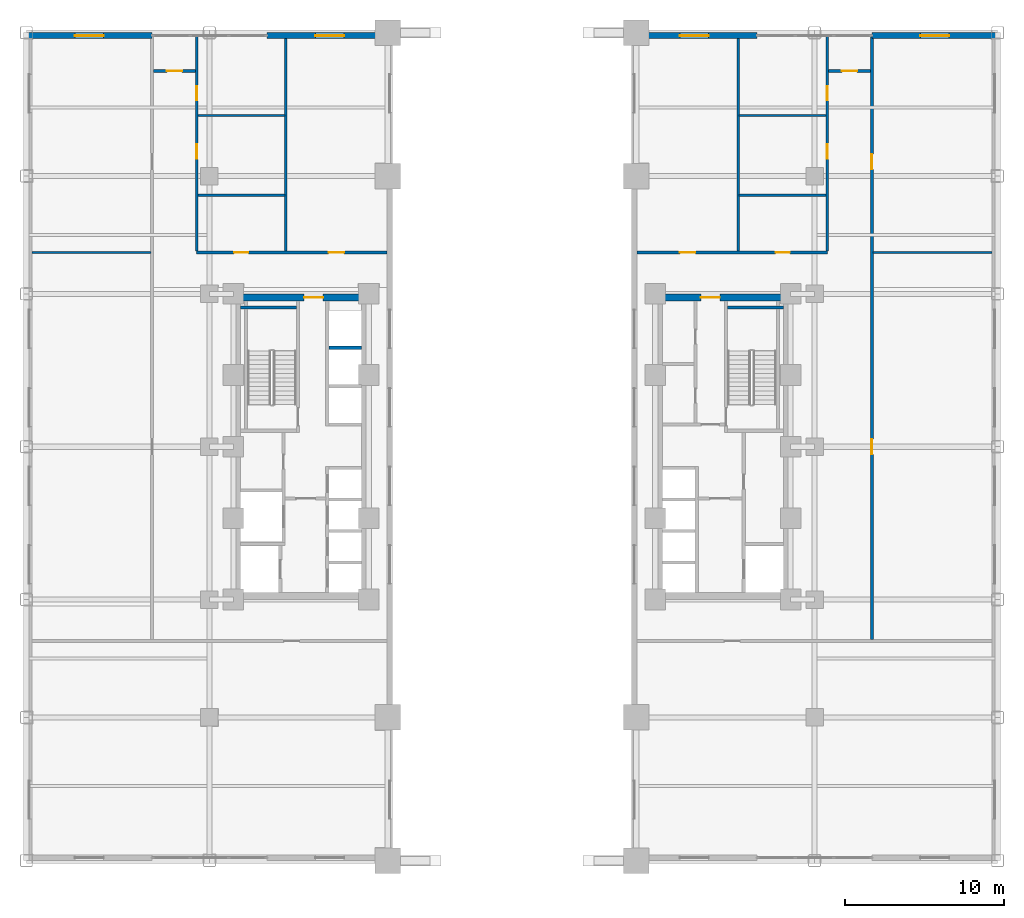
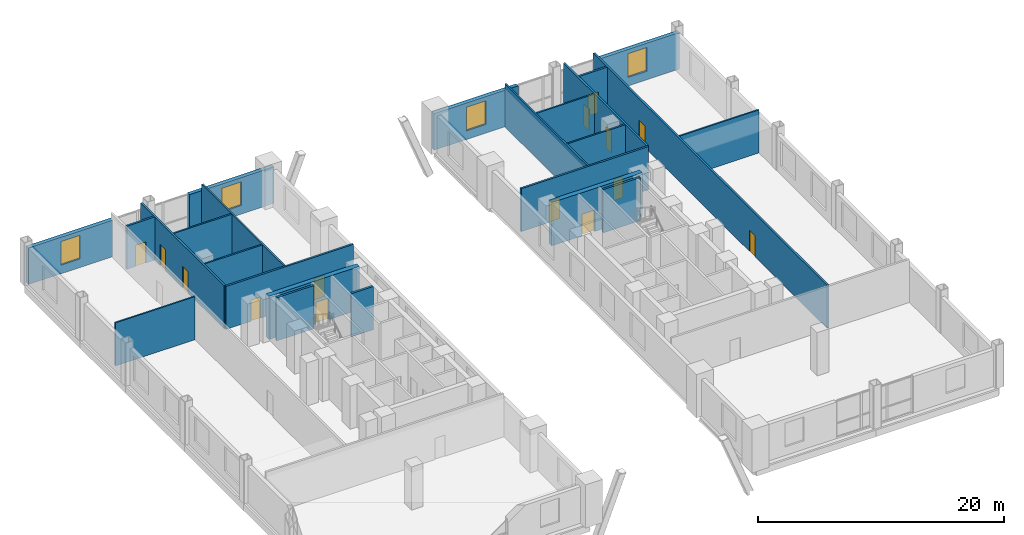
# One storey, part 6 of 15: 24 walls, 14 doors, 4 windows, 18 openings.
"""IFC4 building model written with IfcOpenShell, lengths in metres."""

import ifcopenshell
import ifcopenshell.guid

model = None  # the IFC model being written
_history = None  # IfcOwnerHistory: only IFC2X3 demands one
_inside = {}  # id of a spatial element -> (the spatial element, [elements in it])
_under = {}  # id of a project, library or spatial element -> (it, [spatial elements below it])
_declared = {}  # id of a project -> (the project, [libraries it declares])
_typed = {}  # id of a type object -> (the type object, [elements of that type])
_made_of = {}  # id of a material, layer set ... -> (it, [elements and type objects made of it])


def new_model(schema):
    """Start an empty IFC model of exactly this schema.

    Asked for "IFC4X3", IfcOpenShell would pick the latest addendum, in which some entities
    have other attributes; the version numbers below select the first issue.
    IFC2X3 requires an IfcOwnerHistory on every rooted entity: one is made here for all.
    """
    global model, _history
    if schema == "IFC4X3":
        model = ifcopenshell.file(schema_version=(4, 3, 0, 0))
    else:
        model = ifcopenshell.file(schema=schema)
    _inside.clear()
    _under.clear()
    _declared.clear()
    _typed.clear()
    _made_of.clear()
    _history = None
    if model.schema == "IFC2X3":
        org = make("IfcOrganization", Name="unknown")
        user = make(
            "IfcPersonAndOrganization",
            ThePerson=make("IfcPerson", FamilyName="unknown"),
            TheOrganization=org,
        )
        app = make(
            "IfcApplication",
            ApplicationDeveloper=org,
            Version="unknown",
            ApplicationFullName="unknown",
            ApplicationIdentifier="unknown",
        )
        _history = make(
            "IfcOwnerHistory",
            OwningUser=user,
            OwningApplication=app,
            ChangeAction="ADDED",
            CreationDate=0,
        )
    return model


def make(cls, **values):
    """One entity of the class cls with the attributes given. An attribute that is None is left unset."""
    return model.create_entity(
        cls, **{name: value for name, value in values.items() if value is not None}
    )


def rooted(cls, **values):
    """An entity with a GlobalId (a new one), such as an element, a storey or a relation."""
    return make(cls, GlobalId=ifcopenshell.guid.new(), OwnerHistory=_history, **values)


def si_unit(unit_type, name, prefix=None):
    """IfcSIUnit, for example si_unit("LENGTHUNIT", "METRE", prefix="MILLI")."""
    return make("IfcSIUnit", UnitType=unit_type, Prefix=prefix, Name=name)


def assignment(units):
    """IfcUnitAssignment: the units of a project."""
    return None if units is None else make("IfcUnitAssignment", Units=units)


def point(xyz):
    """IfcCartesianPoint."""
    return None if xyz is None else make("IfcCartesianPoint", Coordinates=xyz)


def direction(xyz):
    """IfcDirection."""
    return None if xyz is None else make("IfcDirection", DirectionRatios=xyz)


def frame(location, z_axis=None, x_axis=None):
    """IfcAxis2Placement3D, a coordinate frame: its origin and axes. An axis left out is left unset."""
    return make(
        "IfcAxis2Placement3D",
        Location=point(location),
        Axis=direction(z_axis),
        RefDirection=direction(x_axis),
    )


def frame_2d(location, x_axis=None):
    """IfcAxis2Placement2D, a coordinate frame in the plane: its origin and x axis."""
    return make(
        "IfcAxis2Placement2D", Location=point(location), RefDirection=direction(x_axis)
    )


def origin():
    """The frame at (0, 0, 0) with its axes left unset."""
    return frame((0.0, 0.0, 0.0))


def place(relative_to, where):
    """IfcLocalPlacement: puts the frame where relative to a parent placement (None: the world)."""
    return make(
        "IfcLocalPlacement", PlacementRelTo=relative_to, RelativePlacement=where
    )


def context(
    kind, dimensions, precision=None, world=None, true_north=None, identifier=None
):
    """IfcGeometricRepresentationContext, for example the 3D "Model" context."""
    return make(
        "IfcGeometricRepresentationContext",
        ContextIdentifier=identifier,
        ContextType=kind,
        CoordinateSpaceDimension=dimensions,
        Precision=precision,
        WorldCoordinateSystem=world,
        TrueNorth=true_north,
    )


def subcontext(parent, identifier, kind, view, scale=None):
    """IfcGeometricRepresentationSubContext, for example "Body" below "Model"."""
    return make(
        "IfcGeometricRepresentationSubContext",
        ContextIdentifier=identifier,
        ContextType=kind,
        ParentContext=parent,
        TargetScale=scale,
        TargetView=view,
    )


def project(units=None, contexts=None):
    """IfcProject with its units and contexts."""
    return rooted(
        "IfcProject",
        Name="project",
        RepresentationContexts=contexts,
        UnitsInContext=assignment(units),
    )


def spatial(cls, under=None, at=None, **own):
    """A site, building, storey or space (cls), placed at a placement, below another one or the project."""
    s = rooted(cls, ObjectPlacement=at, **own)
    if under is not None:
        _under.setdefault(under.id(), (under, []))[1].append(s)
    return s


def profile(cls, at=None, kind="AREA", **sizes):
    """A parametric profile (cls). Its sizes go by their IFC names, for example OverallWidth=200.0."""
    return make(cls, ProfileType=kind, Position=at, **sizes)


def rectangle(**sizes):
    """IfcRectangleProfileDef."""
    return profile("IfcRectangleProfileDef", **sizes)


def extrude(swept, where, along, depth):
    """IfcExtrudedAreaSolid: the profile swept, set in the frame where, extruded along a direction by depth."""
    return make(
        "IfcExtrudedAreaSolid",
        SweptArea=swept,
        Position=where,
        ExtrudedDirection=direction(along),
        Depth=depth,
    )


def shape(context_of_items, identifier, shape_type, items):
    """IfcShapeRepresentation: the items that make up one representation, for example the "Body"."""
    return make(
        "IfcShapeRepresentation",
        ContextOfItems=context_of_items,
        RepresentationIdentifier=identifier,
        RepresentationType=shape_type,
        Items=items,
    )


def source(mapping_origin, context_of_items, identifier, shape_type, items):
    """IfcRepresentationMap: a shape defined once, which mapped items show again and again."""
    return make(
        "IfcRepresentationMap",
        MappingOrigin=mapping_origin,
        MappedRepresentation=shape(context_of_items, identifier, shape_type, items),
    )


def transform(
    local_origin,
    x_axis=None,
    y_axis=None,
    z_axis=None,
    scale=None,
    scale2=None,
    scale3=None,
    uniform=True,
):
    """IfcCartesianTransformationOperator3D, or its non-uniform kind. x_axis, y_axis, z_axis: its Axis1, 2, 3."""
    if uniform:
        return make(
            "IfcCartesianTransformationOperator3D",
            Axis1=direction(x_axis),
            Axis2=direction(y_axis),
            LocalOrigin=point(local_origin),
            Scale=scale,
            Axis3=direction(z_axis),
        )
    return make(
        "IfcCartesianTransformationOperator3DnonUniform",
        Axis1=direction(x_axis),
        Axis2=direction(y_axis),
        LocalOrigin=point(local_origin),
        Scale=scale,
        Axis3=direction(z_axis),
        Scale2=scale2,
        Scale3=scale3,
    )


def mapped(mapping_source, mapping_target):
    """IfcMappedItem: shows the shape of a source again, moved by a transform."""
    return make(
        "IfcMappedItem", MappingSource=mapping_source, MappingTarget=mapping_target
    )


def material(Name=None, Category=None):
    """IfcMaterial."""
    return make("IfcMaterial", Name=Name, Category=Category)


def layer(
    of_material, thickness, ventilated=None, Name=None, Category=None, Priority=None
):
    """IfcMaterialLayer: one layer of a wall or slab, of a material (None: an air gap)."""
    return make(
        "IfcMaterialLayer",
        Material=of_material,
        LayerThickness=thickness,
        IsVentilated=ventilated,
        Name=Name,
        Category=Category,
        Priority=Priority,
    )


def layer_set(layers, Name=None):
    """IfcMaterialLayerSet."""
    return make("IfcMaterialLayerSet", MaterialLayers=layers, LayerSetName=Name)


def made_of(thing, what):
    """Note that an element or type object is made of a material, layer set ...; save() writes the relation."""
    if what is not None:
        _made_of.setdefault(what.id(), (what, []))[1].append(thing)
    return thing


def type_object(cls, material=None, **own):
    """A type object (cls), such as IfcWallType, which elements share."""
    return made_of(rooted(cls, **own), material)


def type_shapes(of_type, sources):
    """Give a type object the sources (RepresentationMaps) that its elements show as mapped items."""
    of_type.RepresentationMaps = sources


def element(
    cls,
    number,
    at=None,
    inside=None,
    cuts=None,
    type_object=None,
    material=None,
    context=None,
    identifier="Body",
    shape_type=None,
    held_by="IfcProductDefinitionShape",
    body=None,
    shapes=None,
    **own,
):
    """One element of the class cls, such as IfcWall. Its Tag is "e" and its number.

    at: its placement. inside: the storey or other place that contains it. cuts: it is an
    opening in that element (IfcRelVoidsElement). A single representation is given by context,
    identifier, shape_type and body (its items); several are given by shapes. held_by: the class
    of the entity that holds the representations. save() writes the other relations.
    """
    e = rooted(cls, Tag="e%d" % number, ObjectPlacement=at, **own)
    if body is not None:
        shapes = [shape(context, identifier, shape_type, body)]
    if shapes is not None:
        e.Representation = make(held_by, Representations=shapes)
    if inside is not None:
        _inside.setdefault(inside.id(), (inside, []))[1].append(e)
    if cuts is not None:
        rooted(
            "IfcRelVoidsElement", RelatingBuildingElement=cuts, RelatedOpeningElement=e
        )
    if type_object is not None:
        _typed.setdefault(type_object.id(), (type_object, []))[1].append(e)
    return made_of(e, material)


def fill(opening, filler):
    """IfcRelFillsElement: the door or window that sits in an opening."""
    return rooted(
        "IfcRelFillsElement",
        RelatingOpeningElement=opening,
        RelatedBuildingElement=filler,
    )


def aggregate(whole, parts):
    """IfcRelAggregates: a whole, such as a stair, and the parts it consists of."""
    return rooted("IfcRelAggregates", RelatingObject=whole, RelatedObjects=parts)


def save(model, path):
    """Write the relations noted so far, then the file.

    IfcRelAggregates (storeys below a building ...), IfcRelContainedInSpatialStructure (elements
    in a storey), IfcRelDefinesByType, IfcRelAssociatesMaterial and IfcRelDeclares: one each for
    every whole, place, type object, material and project.
    """
    for whole, parts in _under.values():
        aggregate(whole, parts)
    for where, things in _inside.values():
        rooted(
            "IfcRelContainedInSpatialStructure",
            RelatedElements=things,
            RelatingStructure=where,
        )
    for kind, things in _typed.values():
        rooted("IfcRelDefinesByType", RelatedObjects=things, RelatingType=kind)
    for what, things in _made_of.values():
        rooted("IfcRelAssociatesMaterial", RelatedObjects=things, RelatingMaterial=what)
    for by, libraries in _declared.values():
        rooted("IfcRelDeclares", RelatingContext=by, RelatedDefinitions=libraries)
    model.write(path)


model = new_model("IFC4")

# Units and contexts
model_context = context("Model", 3, precision=1e-05, world=origin(), true_north=direction((0.0, 1.0)))
body_context = subcontext(model_context, "Body", "Model", "MODEL_VIEW")
ifc_project = project(units=[si_unit("LENGTHUNIT", "METRE"), si_unit("AREAUNIT", "SQUARE_METRE"), si_unit("VOLUMEUNIT", "CUBIC_METRE"), si_unit("PLANEANGLEUNIT", "RADIAN"), si_unit("MASSUNIT", "GRAM", prefix="KILO")], contexts=[model_context])

# Site, building, storey
site_placement = place(None, origin())
site = spatial("IfcSite", under=ifc_project, at=site_placement, CompositionType="ELEMENT")
building_placement = place(site_placement, origin())
building = spatial("IfcBuilding", under=site, at=building_placement, Name="Nuvemarco Arch Tower", CompositionType="ELEMENT")
storey_placement = place(building_placement, frame((0.0, 0.0, 9.199951171875)))
storey = spatial("IfcBuildingStorey", under=building, at=storey_placement, Name="L02", CompositionType="ELEMENT", Elevation=9.199951171875)

# Wall, opening, window
ifc_material_1 = material(Name="Precast concrete C45/55", Category="concrete")
ifc_layer_1 = layer(ifc_material_1, 0.360107421875, Name="EW-POD-360")
ifc_layer_set_1 = layer_set([ifc_layer_1], Name="Precast concrete C45/55")
wall_type_1 = type_object("IfcWallType", Name="EW-POD-360", PredefinedType="STANDARD", material=ifc_layer_set_1)
wall_1_placement = place(storey_placement, frame((-30.5, 25.820068359375, 0.0), z_axis=(0.0, 0.0, 1.0), x_axis=(1.0, 0.0, 0.0)))
wall_1 = element("IfcWall", 1, at=wall_1_placement, inside=storey, type_object=wall_type_1, Name="L02 exterior precast pier wall north left", PredefinedType="STANDARD", context=body_context, shape_type="SweptSolid", body=[
    extrude(rectangle(XDim=7.89990234375, YDim=0.360107421875, at=frame_2d((3.949951171875, 0.0))), origin(), (0.0, 0.0, 1.0), 3.614990234375),
])
opening_1_placement = place(wall_1_placement, frame((3.050048828125, 0.0, 0.85009765625)))
opening_1 = element("IfcOpeningElement", 2, at=opening_1_placement, cuts=wall_1, Name="Opening WN-2", PredefinedType="OPENING", context=body_context, shape_type="SweptSolid", body=[
    extrude(rectangle(XDim=1.800048828125, YDim=2.35009765625, at=frame_2d((0.89990234375, 1.175048828125))), frame((0.0, 0.18994140625, 0.0), z_axis=(0.0, -1.0, 0.0), x_axis=(1.0, 0.0, 0.0)), (0.0, 0.0, 1.0), 0.380126953125),
])
ifc_material_2 = material(Name="Insulated solar-control glass", Category="glass")
window_type = type_object("IfcWindowType", Name="WN-POD-1800x2350", PartitioningType="DOUBLE_PANEL_VERTICAL", PredefinedType="WINDOW", material=ifc_material_2)
shared_shape_1 = source(origin(), body_context, "Body", "SweptSolid", [
    extrude(rectangle(XDim=1.800048828125, YDim=2.35009765625, at=frame_2d((0.89990234375, 1.175048828125))), frame((0.0, 0.030029296875, 0.0), z_axis=(0.0, -1.0, 0.0), x_axis=(1.0, 0.0, 0.0)), (0.0, 0.0, 1.0), 0.06005859375),
])
type_shapes(window_type, [shared_shape_1])
window_1_placement = place(opening_1_placement, origin())
window_1 = element("IfcWindow", 3, at=window_1_placement, inside=storey, type_object=window_type, Name="L02 punched facade window 1", OverallHeight=2.35009765625, OverallWidth=1.800048828125, PartitioningType="SINGLE_PANEL", PredefinedType="WINDOW", context=body_context, shape_type="MappedRepresentation", body=[
    mapped(shared_shape_1, transform((0.0, 0.0, 0.0), scale=1.0)),
])
fill(opening_1, window_1)

wall_2_placement = place(storey_placement, frame((-15.39990234375, 25.820068359375, 0.0), z_axis=(0.0, 0.0, 1.0), x_axis=(1.0, 0.0, 0.0)))
wall_2 = element("IfcWall", 4, at=wall_2_placement, inside=storey, type_object=wall_type_1, Name="L02 exterior precast pier wall north right", PredefinedType="STANDARD", context=body_context, shape_type="SweptSolid", body=[
    extrude(rectangle(XDim=7.89990234375, YDim=0.360107421875, at=frame_2d((3.949951171875, 0.0))), origin(), (0.0, 0.0, 1.0), 3.614990234375),
])
opening_2_placement = place(wall_2_placement, frame((3.050048828125, 0.0, 0.85009765625)))
opening_2 = element("IfcOpeningElement", 5, at=opening_2_placement, cuts=wall_2, Name="Opening WN-2", PredefinedType="OPENING", context=body_context, shape_type="SweptSolid", body=[
    extrude(rectangle(XDim=1.800048828125, YDim=2.35009765625, at=frame_2d((0.89990234375, 1.175048828125))), frame((0.0, 0.18994140625, 0.0), z_axis=(0.0, -1.0, 0.0), x_axis=(1.0, 0.0, 0.0)), (0.0, 0.0, 1.0), 0.380126953125),
])
window_2_placement = place(opening_2_placement, origin())
window_2 = element("IfcWindow", 6, at=window_2_placement, inside=storey, type_object=window_type, Name="L02 punched facade window 1", OverallHeight=2.35009765625, OverallWidth=1.800048828125, PartitioningType="SINGLE_PANEL", PredefinedType="WINDOW", context=body_context, shape_type="MappedRepresentation", body=[
    mapped(shared_shape_1, transform((0.0, 0.0, 0.0), scale=1.0)),
])
fill(opening_2, window_2)

wall_3_placement = place(storey_placement, frame((7.5, 25.820068359375, 0.0), z_axis=(0.0, 0.0, 1.0), x_axis=(1.0, 0.0, 0.0)))
wall_3 = element("IfcWall", 7, at=wall_3_placement, inside=storey, type_object=wall_type_1, Name="L02 exterior precast pier wall north left", PredefinedType="STANDARD", context=body_context, shape_type="SweptSolid", body=[
    extrude(rectangle(XDim=7.89990234375, YDim=0.360107421875, at=frame_2d((3.949951171875, 0.0))), origin(), (0.0, 0.0, 1.0), 3.614990234375),
])
opening_3_placement = place(wall_3_placement, frame((3.050048828125, 0.0, 0.85009765625)))
opening_3 = element("IfcOpeningElement", 8, at=opening_3_placement, cuts=wall_3, Name="Opening WN-2", PredefinedType="OPENING", context=body_context, shape_type="SweptSolid", body=[
    extrude(rectangle(XDim=1.800048828125, YDim=2.35009765625, at=frame_2d((0.89990234375, 1.175048828125))), frame((0.0, 0.18994140625, 0.0), z_axis=(0.0, -1.0, 0.0), x_axis=(1.0, 0.0, 0.0)), (0.0, 0.0, 1.0), 0.380126953125),
])
window_3_placement = place(opening_3_placement, origin())
window_3 = element("IfcWindow", 9, at=window_3_placement, inside=storey, type_object=window_type, Name="L02 punched facade window 1", OverallHeight=2.35009765625, OverallWidth=1.800048828125, PartitioningType="SINGLE_PANEL", PredefinedType="WINDOW", context=body_context, shape_type="MappedRepresentation", body=[
    mapped(shared_shape_1, transform((0.0, 0.0, 0.0), scale=1.0)),
])
fill(opening_3, window_3)

wall_4_placement = place(storey_placement, frame((22.60009765625, 25.820068359375, 0.0), z_axis=(0.0, 0.0, 1.0), x_axis=(1.0, 0.0, 0.0)))
wall_4 = element("IfcWall", 10, at=wall_4_placement, inside=storey, type_object=wall_type_1, Name="L02 exterior precast pier wall north right", PredefinedType="STANDARD", context=body_context, shape_type="SweptSolid", body=[
    extrude(rectangle(XDim=7.89990234375, YDim=0.360107421875, at=frame_2d((3.949951171875, 0.0))), origin(), (0.0, 0.0, 1.0), 3.614990234375),
])
opening_4_placement = place(wall_4_placement, frame((3.050048828125, 0.0, 0.85009765625)))
opening_4 = element("IfcOpeningElement", 11, at=opening_4_placement, cuts=wall_4, Name="Opening WN-2", PredefinedType="OPENING", context=body_context, shape_type="SweptSolid", body=[
    extrude(rectangle(XDim=1.800048828125, YDim=2.35009765625, at=frame_2d((0.89990234375, 1.175048828125))), frame((0.0, 0.18994140625, 0.0), z_axis=(0.0, -1.0, 0.0), x_axis=(1.0, 0.0, 0.0)), (0.0, 0.0, 1.0), 0.380126953125),
])
window_4_placement = place(opening_4_placement, origin())
window_4 = element("IfcWindow", 12, at=window_4_placement, inside=storey, type_object=window_type, Name="L02 punched facade window 1", OverallHeight=2.35009765625, OverallWidth=1.800048828125, PartitioningType="SINGLE_PANEL", PredefinedType="WINDOW", context=body_context, shape_type="MappedRepresentation", body=[
    mapped(shared_shape_1, transform((0.0, 0.0, 0.0), scale=1.0)),
])
fill(opening_4, window_4)

# Wall, opening, door
ifc_material_3 = material(Name="Concrete C60/75", Category="concrete")
ifc_layer_2 = layer(ifc_material_3, 0.449951171875, Name="WL-CORE-450")
ifc_layer_set_2 = layer_set([ifc_layer_2], Name="Concrete C60/75")
wall_type_2 = type_object("IfcWallType", Name="WL-CORE-450", PredefinedType="SHEAR", material=ifc_layer_set_2)
wall_5_placement = place(storey_placement, frame((-17.5, 9.375, 0.0), z_axis=(0.0, 0.0, 1.0), x_axis=(1.0, 0.0, 0.0)))
wall_5 = element("IfcWall", 13, at=wall_5_placement, inside=storey, type_object=wall_type_2, Name="L02 W-core shear wall N", PredefinedType="SHEAR", context=body_context, shape_type="SweptSolid", body=[
    extrude(rectangle(XDim=8.5, YDim=0.449951171875, at=frame_2d((4.25, 0.0))), origin(), (0.0, 0.0, 1.0), 4.280029296875),
])
opening_5_placement = place(wall_5_placement, frame((4.43994140625, 0.0, 0.0)))
opening_5 = element("IfcOpeningElement", 14, at=opening_5_placement, cuts=wall_5, Name="Opening FD-2", PredefinedType="OPENING", context=body_context, shape_type="SweptSolid", body=[
    extrude(rectangle(XDim=1.199951171875, YDim=2.14990234375, at=frame_2d((0.60009765625, 1.074951171875))), frame((0.0, 0.23486328125, 0.0), z_axis=(0.0, -1.0, 0.0), x_axis=(1.0, 0.0, 0.0)), (0.0, 0.0, 1.0), 0.469970703125),
])
ifc_material_4 = material(Name="Anodised steel fire door", Category="steel")
door_type_1 = type_object("IfcDoorType", Name="DR-FFLOB-FD", OperationType="NOTDEFINED", PredefinedType="DOOR", material=ifc_material_4)
shared_shape_2 = source(origin(), body_context, "Body", "SweptSolid", [
    extrude(rectangle(XDim=1.199951171875, YDim=2.14990234375, at=frame_2d((0.60009765625, 1.074951171875))), frame((0.0, 0.02490234375, 0.0), z_axis=(0.0, -1.0, 0.0), x_axis=(1.0, 0.0, 0.0)), (0.0, 0.0, 1.0), 0.050048828125),
])
type_shapes(door_type_1, [shared_shape_2])
door_1_placement = place(opening_5_placement, origin())
door_1 = element("IfcDoor", 15, at=door_1_placement, inside=storey, type_object=door_type_1, Name="L02 door FD-L02-WCORE-N", OperationType="SINGLE_SWING_LEFT", OverallHeight=2.14990234375, OverallWidth=1.199951171875, PredefinedType="DOOR", context=body_context, shape_type="MappedRepresentation", body=[
    mapped(shared_shape_2, transform((0.0, 0.0, 0.0), scale=1.0)),
])
fill(opening_5, door_1)

wall_6_placement = place(storey_placement, frame((9.0, 9.375, 0.0), z_axis=(0.0, 0.0, 1.0), x_axis=(1.0, 0.0, 0.0)))
wall_6 = element("IfcWall", 16, at=wall_6_placement, inside=storey, type_object=wall_type_2, Name="L02 E-core shear wall N", PredefinedType="SHEAR", context=body_context, shape_type="SweptSolid", body=[
    extrude(rectangle(XDim=8.5, YDim=0.449951171875, at=frame_2d((4.25, 0.0))), origin(), (0.0, 0.0, 1.0), 4.280029296875),
])
opening_6_placement = place(wall_6_placement, frame((2.860107421875, 0.0, 0.0)))
opening_6 = element("IfcOpeningElement", 17, at=opening_6_placement, cuts=wall_6, Name="Opening FD-2", PredefinedType="OPENING", context=body_context, shape_type="SweptSolid", body=[
    extrude(rectangle(XDim=1.199951171875, YDim=2.14990234375, at=frame_2d((0.60009765625, 1.074951171875))), frame((0.0, 0.23486328125, 0.0), z_axis=(0.0, -1.0, 0.0), x_axis=(1.0, 0.0, 0.0)), (0.0, 0.0, 1.0), 0.469970703125),
])
door_2_placement = place(opening_6_placement, origin())
door_2 = element("IfcDoor", 18, at=door_2_placement, inside=storey, type_object=door_type_1, Name="L02 door FD-L02-ECORE-N", OperationType="SINGLE_SWING_RIGHT", OverallHeight=2.14990234375, OverallWidth=1.199951171875, PredefinedType="DOOR", context=body_context, shape_type="MappedRepresentation", body=[
    mapped(shared_shape_2, transform((0.0, 0.0, 0.0), scale=1.0)),
])
fill(opening_6, door_2)

# Wall, openings, doors
ifc_material_5 = material(Name="Fire-rated gypsum drywall partition")
ifc_layer_3 = layer(ifc_material_5, 0.179931640625, Name="WL-CORR-180")
ifc_layer_set_3 = layer_set([ifc_layer_3], Name="Fire-rated gypsum drywall partition")
wall_type_3 = type_object("IfcWallType", Name="WL-CORR-180", PredefinedType="PARTITIONING", material=ifc_layer_set_3)
wall_7_placement = place(storey_placement, frame((-19.800048828125, 12.199951171875, 0.0), z_axis=(0.0, 0.0, 1.0), x_axis=(1.0, 0.0, 0.0)))
wall_7 = element("IfcWall", 19, at=wall_7_placement, inside=storey, type_object=wall_type_3, Name="L02 interior wall IW-L02-004", PredefinedType="PARTITIONING", context=body_context, shape_type="SweptSolid", body=[
    extrude(rectangle(XDim=11.93994140625, YDim=0.179931640625, at=frame_2d((5.969970703125, 0.0))), origin(), (0.0, 0.0, 1.0), 4.27001953125),
])
opening_7_placement = place(wall_7_placement, frame((8.2900390625, 0.0, 0.0)))
opening_7 = element("IfcOpeningElement", 20, at=opening_7_placement, cuts=wall_7, Name="Opening FD-5", PredefinedType="OPENING", context=body_context, shape_type="SweptSolid", body=[
    extrude(rectangle(XDim=0.9599609375, YDim=2.10009765625, at=frame_2d((0.47998046875, 1.050048828125))), frame((0.0, 0.099853515625, 0.0), z_axis=(0.0, -1.0, 0.0), x_axis=(1.0, 0.0, 0.0)), (0.0, 0.0, 1.0), 0.199951171875),
])
opening_8_placement = place(wall_7_placement, frame((2.35009765625, 0.0, 0.0)))
opening_8 = element("IfcOpeningElement", 21, at=opening_8_placement, cuts=wall_7, Name="Opening ID-3", PredefinedType="OPENING", context=body_context, shape_type="SweptSolid", body=[
    extrude(rectangle(XDim=0.89990234375, YDim=2.10009765625, at=frame_2d((0.449951171875, 1.050048828125))), frame((0.0, 0.099853515625, 0.0), z_axis=(0.0, -1.0, 0.0), x_axis=(1.0, 0.0, 0.0)), (0.0, 0.0, 1.0), 0.199951171875),
])
ifc_material_6 = material(Name="Timber fire door", Category="wood")
door_type_2 = type_object("IfcDoorType", Name="DR-CORR-FD", OperationType="NOTDEFINED", PredefinedType="DOOR", material=ifc_material_6)
shared_shape_3 = source(origin(), body_context, "Body", "SweptSolid", [
    extrude(rectangle(XDim=0.9599609375, YDim=2.10009765625, at=frame_2d((0.47998046875, 1.050048828125))), frame((0.0, 0.02490234375, 0.0), z_axis=(0.0, -1.0, 0.0), x_axis=(1.0, 0.0, 0.0)), (0.0, 0.0, 1.0), 0.050048828125),
])
type_shapes(door_type_2, [shared_shape_3])
door_3_placement = place(opening_7_placement, origin())
door_3 = element("IfcDoor", 22, at=door_3_placement, inside=storey, type_object=door_type_2, Name="L02 door DR-L02-POD_WBRD", OperationType="SINGLE_SWING_LEFT", OverallHeight=2.10009765625, OverallWidth=0.9599609375, PredefinedType="DOOR", context=body_context, shape_type="MappedRepresentation", body=[
    mapped(shared_shape_3, transform((0.0, 0.0, 0.0), scale=1.0)),
])
fill(opening_7, door_3)
ifc_material_7 = material(Name="Veneered oak timber fire door", Category="wood")
door_type_3 = type_object("IfcDoorType", Name="DR-WC-ACC", OperationType="NOTDEFINED", PredefinedType="DOOR", material=ifc_material_7)
shared_shape_4 = source(origin(), body_context, "Body", "SweptSolid", [
    extrude(rectangle(XDim=0.89990234375, YDim=2.10009765625, at=frame_2d((0.449951171875, 1.050048828125))), frame((0.0, 0.02490234375, 0.0), z_axis=(0.0, -1.0, 0.0), x_axis=(1.0, 0.0, 0.0)), (0.0, 0.0, 1.0), 0.050048828125),
])
type_shapes(door_type_3, [shared_shape_4])
door_4_placement = place(opening_8_placement, origin())
door_4 = element("IfcDoor", 23, at=door_4_placement, inside=storey, type_object=door_type_3, Name="L02 door DR-L02-POD_WWC_ACC", OperationType="SINGLE_SWING_RIGHT", OverallHeight=2.10009765625, OverallWidth=0.89990234375, PredefinedType="DOOR", context=body_context, shape_type="MappedRepresentation", body=[
    mapped(shared_shape_4, transform((0.0, 0.0, 0.0), scale=1.0)),
])
fill(opening_8, door_4)

wall_8_placement = place(storey_placement, frame((7.860107421875, 12.199951171875, 0.0), z_axis=(0.0, 0.0, 1.0), x_axis=(1.0, 0.0, 0.0)))
wall_8 = element("IfcWall", 24, at=wall_8_placement, inside=storey, type_object=wall_type_3, Name="L02 interior wall IW-L02-005", PredefinedType="PARTITIONING", context=body_context, shape_type="SweptSolid", body=[
    extrude(rectangle(XDim=11.93994140625, YDim=0.179931640625, at=frame_2d((5.969970703125, 0.0))), origin(), (0.0, 0.0, 1.0), 4.27001953125),
])
opening_9_placement = place(wall_8_placement, frame((2.68994140625, 0.0, 0.0)))
opening_9 = element("IfcOpeningElement", 25, at=opening_9_placement, cuts=wall_8, Name="Opening FD-5", PredefinedType="OPENING", context=body_context, shape_type="SweptSolid", body=[
    extrude(rectangle(XDim=0.9599609375, YDim=2.10009765625, at=frame_2d((0.47998046875, 1.050048828125))), frame((0.0, 0.099853515625, 0.0), z_axis=(0.0, -1.0, 0.0), x_axis=(1.0, 0.0, 0.0)), (0.0, 0.0, 1.0), 0.199951171875),
])
opening_10_placement = place(wall_8_placement, frame((8.68994140625, 0.0, 0.0)))
opening_10 = element("IfcOpeningElement", 26, at=opening_10_placement, cuts=wall_8, Name="Opening ID-3", PredefinedType="OPENING", context=body_context, shape_type="SweptSolid", body=[
    extrude(rectangle(XDim=0.89990234375, YDim=2.10009765625, at=frame_2d((0.449951171875, 1.050048828125))), frame((0.0, 0.099853515625, 0.0), z_axis=(0.0, -1.0, 0.0), x_axis=(1.0, 0.0, 0.0)), (0.0, 0.0, 1.0), 0.199951171875),
])
door_5_placement = place(opening_9_placement, origin())
door_5 = element("IfcDoor", 27, at=door_5_placement, inside=storey, type_object=door_type_2, Name="L02 door DR-L02-POD_EMTG", OperationType="SINGLE_SWING_LEFT", OverallHeight=2.10009765625, OverallWidth=0.9599609375, PredefinedType="DOOR", context=body_context, shape_type="MappedRepresentation", body=[
    mapped(shared_shape_3, transform((0.0, 0.0, 0.0), scale=1.0)),
])
fill(opening_9, door_5)
door_6_placement = place(opening_10_placement, origin())
door_6 = element("IfcDoor", 28, at=door_6_placement, inside=storey, type_object=door_type_3, Name="L02 door DR-L02-POD_EWC_ACC", OperationType="SINGLE_SWING_RIGHT", OverallHeight=2.10009765625, OverallWidth=0.89990234375, PredefinedType="DOOR", context=body_context, shape_type="MappedRepresentation", body=[
    mapped(shared_shape_4, transform((0.0, 0.0, 0.0), scale=1.0)),
])
fill(opening_10, door_6)

# Wall, opening, door
wall_9_placement = place(storey_placement, frame((-22.513916015625, 23.60009765625, 0.0), z_axis=(0.0, 0.0, 1.0), x_axis=(1.0, 0.0, 0.0)))
wall_9 = element("IfcWall", 29, at=wall_9_placement, inside=storey, type_object=wall_type_3, Name="L02 interior wall IW-L02-011", PredefinedType="PARTITIONING", context=body_context, shape_type="SweptSolid", body=[
    extrude(rectangle(XDim=2.6279296875, YDim=0.179931640625, at=frame_2d((1.31396484375, 0.0))), origin(), (0.0, 0.0, 1.0), 4.27001953125),
])
opening_11_placement = place(wall_9_placement, frame((0.833984375, 0.0, 0.0)))
opening_11 = element("IfcOpeningElement", 30, at=opening_11_placement, cuts=wall_9, Name="Opening FD-5", PredefinedType="OPENING", context=body_context, shape_type="SweptSolid", body=[
    extrude(rectangle(XDim=0.9599609375, YDim=2.10009765625, at=frame_2d((0.47998046875, 1.050048828125))), frame((0.0, 0.099853515625, 0.0), z_axis=(0.0, -1.0, 0.0), x_axis=(1.0, 0.0, 0.0)), (0.0, 0.0, 1.0), 0.199951171875),
])
door_7_placement = place(opening_11_placement, origin())
door_7 = element("IfcDoor", 31, at=door_7_placement, inside=storey, type_object=door_type_2, Name="L02 door DR-L02-POD_WSTORE", OperationType="SINGLE_SWING_LEFT", OverallHeight=2.10009765625, OverallWidth=0.9599609375, PredefinedType="DOOR", context=body_context, shape_type="MappedRepresentation", body=[
    mapped(shared_shape_3, transform((0.0, 0.0, 0.0), scale=1.0)),
])
fill(opening_11, door_7)

wall_10_placement = place(storey_placement, frame((19.885986328125, 23.60009765625, 0.0), z_axis=(0.0, 0.0, 1.0), x_axis=(1.0, 0.0, 0.0)))
wall_10 = element("IfcWall", 32, at=wall_10_placement, inside=storey, type_object=wall_type_3, Name="L02 interior wall IW-L02-012", PredefinedType="PARTITIONING", context=body_context, shape_type="SweptSolid", body=[
    extrude(rectangle(XDim=2.6279296875, YDim=0.179931640625, at=frame_2d((1.31396484375, 0.0))), origin(), (0.0, 0.0, 1.0), 4.27001953125),
])
opening_12_placement = place(wall_10_placement, frame((0.833984375, 0.0, 0.0)))
opening_12 = element("IfcOpeningElement", 33, at=opening_12_placement, cuts=wall_10, Name="Opening FD-5", PredefinedType="OPENING", context=body_context, shape_type="SweptSolid", body=[
    extrude(rectangle(XDim=0.9599609375, YDim=2.10009765625, at=frame_2d((0.47998046875, 1.050048828125))), frame((0.0, 0.099853515625, 0.0), z_axis=(0.0, -1.0, 0.0), x_axis=(1.0, 0.0, 0.0)), (0.0, 0.0, 1.0), 0.199951171875),
])
door_8_placement = place(opening_12_placement, origin())
door_8 = element("IfcDoor", 34, at=door_8_placement, inside=storey, type_object=door_type_2, Name="L02 door DR-L02-POD_ESTORE", OperationType="SINGLE_SWING_LEFT", OverallHeight=2.10009765625, OverallWidth=0.9599609375, PredefinedType="DOOR", context=body_context, shape_type="MappedRepresentation", body=[
    mapped(shared_shape_3, transform((0.0, 0.0, 0.0), scale=1.0)),
])
fill(opening_12, door_8)

# Wall, openings, doors
wall_11_placement = place(storey_placement, frame((-19.800048828125, 12.285888671875, 0.0), z_axis=(0.0, 0.0, 1.0), x_axis=(0.0, 1.0, 0.0)))
wall_11 = element("IfcWall", 35, at=wall_11_placement, inside=storey, type_object=wall_type_3, Name="L02 interior wall IW-L02-014", PredefinedType="PARTITIONING", context=body_context, shape_type="SweptSolid", body=[
    extrude(rectangle(XDim=13.51904296875, YDim=0.179931640625, at=frame_2d((6.759521484375, 0.0))), origin(), (0.0, 0.0, 1.0), 4.27001953125),
])
opening_13_placement = place(wall_11_placement, frame((5.81396484375, 0.0, 0.0)))
opening_13 = element("IfcOpeningElement", 36, at=opening_13_placement, cuts=wall_11, Name="Opening ID-3", PredefinedType="OPENING", context=body_context, shape_type="SweptSolid", body=[
    extrude(rectangle(XDim=0.89990234375, YDim=2.10009765625, at=frame_2d((0.449951171875, 1.050048828125))), frame((0.0, 0.099853515625, 0.0), z_axis=(0.0, -1.0, 0.0), x_axis=(1.0, 0.0, 0.0)), (0.0, 0.0, 1.0), 0.199951171875),
])
opening_14_placement = place(wall_11_placement, frame((9.464111328125, 0.0, 0.0)))
opening_14 = element("IfcOpeningElement", 37, at=opening_14_placement, cuts=wall_11, Name="Opening ID-3", PredefinedType="OPENING", context=body_context, shape_type="SweptSolid", body=[
    extrude(rectangle(XDim=0.89990234375, YDim=2.10009765625, at=frame_2d((0.449951171875, 1.050048828125))), frame((0.0, 0.099853515625, 0.0), z_axis=(0.0, -1.0, 0.0), x_axis=(1.0, 0.0, 0.0)), (0.0, 0.0, 1.0), 0.199951171875),
])
door_9_placement = place(opening_13_placement, origin())
door_9 = element("IfcDoor", 38, at=door_9_placement, inside=storey, type_object=door_type_3, Name="L02 door DR-L02-POD_WWC_M", OperationType="SINGLE_SWING_LEFT", OverallHeight=2.10009765625, OverallWidth=0.89990234375, PredefinedType="DOOR", context=body_context, shape_type="MappedRepresentation", body=[
    mapped(shared_shape_4, transform((0.0, 0.0, 0.0), scale=1.0)),
])
fill(opening_13, door_9)
door_10_placement = place(opening_14_placement, origin())
door_10 = element("IfcDoor", 39, at=door_10_placement, inside=storey, type_object=door_type_3, Name="L02 door DR-L02-POD_WWC_F", OperationType="SINGLE_SWING_RIGHT", OverallHeight=2.10009765625, OverallWidth=0.89990234375, PredefinedType="DOOR", context=body_context, shape_type="MappedRepresentation", body=[
    mapped(shared_shape_4, transform((0.0, 0.0, 0.0), scale=1.0)),
])
fill(opening_14, door_10)

wall_12_placement = place(storey_placement, frame((19.800048828125, 12.285888671875, 0.0), z_axis=(0.0, 0.0, 1.0), x_axis=(0.0, 1.0, 0.0)))
wall_12 = element("IfcWall", 40, at=wall_12_placement, inside=storey, type_object=wall_type_3, Name="L02 interior wall IW-L02-017", PredefinedType="PARTITIONING", context=body_context, shape_type="SweptSolid", body=[
    extrude(rectangle(XDim=13.51904296875, YDim=0.179931640625, at=frame_2d((6.759521484375, 0.0))), origin(), (0.0, 0.0, 1.0), 4.27001953125),
])
opening_15_placement = place(wall_12_placement, frame((5.81396484375, 0.0, 0.0)))
opening_15 = element("IfcOpeningElement", 41, at=opening_15_placement, cuts=wall_12, Name="Opening ID-3", PredefinedType="OPENING", context=body_context, shape_type="SweptSolid", body=[
    extrude(rectangle(XDim=0.89990234375, YDim=2.10009765625, at=frame_2d((0.449951171875, 1.050048828125))), frame((0.0, 0.099853515625, 0.0), z_axis=(0.0, -1.0, 0.0), x_axis=(1.0, 0.0, 0.0)), (0.0, 0.0, 1.0), 0.199951171875),
])
opening_16_placement = place(wall_12_placement, frame((9.464111328125, 0.0, 0.0)))
opening_16 = element("IfcOpeningElement", 42, at=opening_16_placement, cuts=wall_12, Name="Opening ID-3", PredefinedType="OPENING", context=body_context, shape_type="SweptSolid", body=[
    extrude(rectangle(XDim=0.89990234375, YDim=2.10009765625, at=frame_2d((0.449951171875, 1.050048828125))), frame((0.0, 0.099853515625, 0.0), z_axis=(0.0, -1.0, 0.0), x_axis=(1.0, 0.0, 0.0)), (0.0, 0.0, 1.0), 0.199951171875),
])
door_11_placement = place(opening_15_placement, origin())
door_11 = element("IfcDoor", 43, at=door_11_placement, inside=storey, type_object=door_type_3, Name="L02 door DR-L02-POD_EWC_M", OperationType="SINGLE_SWING_LEFT", OverallHeight=2.10009765625, OverallWidth=0.89990234375, PredefinedType="DOOR", context=body_context, shape_type="MappedRepresentation", body=[
    mapped(shared_shape_4, transform((0.0, 0.0, 0.0), scale=1.0)),
])
fill(opening_15, door_11)
door_12_placement = place(opening_16_placement, origin())
door_12 = element("IfcDoor", 44, at=door_12_placement, inside=storey, type_object=door_type_3, Name="L02 door DR-L02-POD_EWC_F", OperationType="SINGLE_SWING_RIGHT", OverallHeight=2.10009765625, OverallWidth=0.89990234375, PredefinedType="DOOR", context=body_context, shape_type="MappedRepresentation", body=[
    mapped(shared_shape_4, transform((0.0, 0.0, 0.0), scale=1.0)),
])
fill(opening_16, door_12)

wall_13_placement = place(storey_placement, frame((22.60009765625, -12.114013671875, 0.0), z_axis=(0.0, 0.0, 1.0), x_axis=(0.0, 1.0, 0.0)))
wall_13 = element("IfcWall", 45, at=wall_13_placement, inside=storey, type_object=wall_type_3, Name="L02 interior wall IW-L02-018", PredefinedType="PARTITIONING", context=body_context, shape_type="SweptSolid", body=[
    extrude(rectangle(XDim=37.9189453125, YDim=0.179931640625, at=frame_2d((18.95947265625, 0.0))), origin(), (0.0, 0.0, 1.0), 4.27001953125),
])
opening_17_placement = place(wall_13_placement, frame((11.634033203125, 0.0, 0.0)))
opening_17 = element("IfcOpeningElement", 46, at=opening_17_placement, cuts=wall_13, Name="Opening FD-5", PredefinedType="OPENING", context=body_context, shape_type="SweptSolid", body=[
    extrude(rectangle(XDim=0.9599609375, YDim=2.10009765625, at=frame_2d((0.47998046875, 1.050048828125))), frame((0.0, 0.099853515625, 0.0), z_axis=(0.0, -1.0, 0.0), x_axis=(1.0, 0.0, 0.0)), (0.0, 0.0, 1.0), 0.199951171875),
])
opening_18_placement = place(wall_13_placement, frame((29.533935546875, 0.0, 0.0)))
opening_18 = element("IfcOpeningElement", 47, at=opening_18_placement, cuts=wall_13, Name="Opening FD-5", PredefinedType="OPENING", context=body_context, shape_type="SweptSolid", body=[
    extrude(rectangle(XDim=0.9599609375, YDim=2.10009765625, at=frame_2d((0.47998046875, 1.050048828125))), frame((0.0, 0.099853515625, 0.0), z_axis=(0.0, -1.0, 0.0), x_axis=(1.0, 0.0, 0.0)), (0.0, 0.0, 1.0), 0.199951171875),
])
door_13_placement = place(opening_17_placement, origin())
door_13 = element("IfcDoor", 48, at=door_13_placement, inside=storey, type_object=door_type_2, Name="L02 door DR-L02-POD_EOFF", OperationType="SINGLE_SWING_RIGHT", OverallHeight=2.10009765625, OverallWidth=0.9599609375, PredefinedType="DOOR", context=body_context, shape_type="MappedRepresentation", body=[
    mapped(shared_shape_3, transform((0.0, 0.0, 0.0), scale=1.0)),
])
fill(opening_17, door_13)
door_14_placement = place(opening_18_placement, origin())
door_14 = element("IfcDoor", 49, at=door_14_placement, inside=storey, type_object=door_type_2, Name="L02 door DR-L02-POD_EBRD", OperationType="SINGLE_SWING_RIGHT", OverallHeight=2.10009765625, OverallWidth=0.9599609375, PredefinedType="DOOR", context=body_context, shape_type="MappedRepresentation", body=[
    mapped(shared_shape_3, transform((0.0, 0.0, 0.0), scale=1.0)),
])
fill(opening_18, door_14)

# Walls
ifc_material_8 = material(Name="Gypsum plasterboard partition")
ifc_layer_4 = layer(ifc_material_8, 0.139892578125, Name="WL-ROOM-140")
ifc_layer_set_4 = layer_set([ifc_layer_4], Name="Gypsum plasterboard partition")
wall_type_4 = type_object("IfcWallType", Name="WL-ROOM-140", PredefinedType="PARTITIONING", material=ifc_layer_set_4)
for number, where, z_axis, x_axis, name in (
    (50, (-30.139892578125, 12.199951171875, 0.0), (0.0, 0.0, 1.0), (1.0, 0.0, 0.0), "L02 interior wall IW-L02-003"),
    (51, (22.68603515625, 12.199951171875, 0.0), (0.0, 0.0, 1.0), (1.0, 0.0, 0.0), "L02 interior wall IW-L02-006"),
):
    element("IfcWall", number, at=place(storey_placement, frame(where, z_axis=z_axis, x_axis=x_axis)), inside=storey, type_object=wall_type_4, Name=name, PredefinedType="PARTITIONING", context=body_context, shape_type="SweptSolid", body=[
        extrude(rectangle(XDim=7.453857421875, YDim=0.139892578125, at=frame_2d((3.72705078125, 0.0))), origin(), (0.0, 0.0, 1.0), 4.27001953125),
    ])
ifc_material_9 = material(Name="Concrete C50/60", Category="concrete")
ifc_layer_5 = layer(ifc_material_9, 0.199951171875, Name="WL-SHAFT-220")
ifc_layer_set_5 = layer_set([ifc_layer_5], Name="Concrete C50/60")
wall_type_5 = type_object("IfcWallType", Name="WL-SHAFT-220", PredefinedType="SHEAR", material=ifc_layer_set_5)
wall_14_placement = place(storey_placement, frame((-17.054931640625, 8.75, 0.0), z_axis=(0.0, 0.0, 1.0), x_axis=(1.0, 0.0, 0.0)))
element("IfcWall", 52, at=wall_14_placement, inside=storey, type_object=wall_type_5, Name="L02 structural shaft wall SW-L02-W-ST1N", PredefinedType="SHEAR", context=body_context, shape_type="SweptSolid", body=[
    extrude(rectangle(XDim=3.52001953125, YDim=0.199951171875, at=frame_2d((1.760009765625, 0.0))), origin(), (0.0, 0.0, 1.0), 4.280029296875),
])
wall_15_placement = place(storey_placement, frame((-11.5048828125, 6.219970703125, 0.0), z_axis=(0.0, 0.0, 1.0), x_axis=(1.0, 0.0, 0.0)))
element("IfcWall", 53, at=wall_15_placement, inside=storey, type_object=wall_type_5, Name="L02 structural shaft wall SW-L02-W-PHD3", PredefinedType="SHEAR", context=body_context, shape_type="SweptSolid", body=[
    extrude(rectangle(XDim=2.059814453125, YDim=0.199951171875, at=frame_2d((1.02978515625, 0.0))), origin(), (0.0, 0.0, 1.0), 4.280029296875),
])
wall_16_placement = place(storey_placement, frame((13.534912109375, 8.75, 0.0), z_axis=(0.0, 0.0, 1.0), x_axis=(1.0, 0.0, 0.0)))
element("IfcWall", 54, at=wall_16_placement, inside=storey, type_object=wall_type_5, Name="L02 structural shaft wall SW-L02-E-ST2N", PredefinedType="SHEAR", context=body_context, shape_type="SweptSolid", body=[
    extrude(rectangle(XDim=3.52001953125, YDim=0.199951171875, at=frame_2d((1.760009765625, 0.0))), origin(), (0.0, 0.0, 1.0), 4.280029296875),
])
ifc_material_10 = material(Name="Moisture-resistant gypsum partition")
ifc_layer_6 = layer(ifc_material_10, 0.14990234375, Name="WL-WET-150")
ifc_layer_set_6 = layer_set([ifc_layer_6], Name="Moisture-resistant gypsum partition")
wall_type_6 = type_object("IfcWallType", Name="WL-WET-150", PredefinedType="PARTITIONING", material=ifc_layer_set_6)
for number, where, z_axis, x_axis, name in (
    (55, (-19.714111328125, 15.800048828125, 0.0), (0.0, 0.0, 1.0), (1.0, 0.0, 0.0), "L02 interior wall IW-L02-007"),
    (56, (14.27099609375, 15.800048828125, 0.0), (0.0, 0.0, 1.0), (1.0, 0.0, 0.0), "L02 interior wall IW-L02-008"),
    (57, (-19.714111328125, 20.800048828125, 0.0), (0.0, 0.0, 1.0), (1.0, 0.0, 0.0), "L02 interior wall IW-L02-009"),
    (58, (14.27099609375, 20.800048828125, 0.0), (0.0, 0.0, 1.0), (1.0, 0.0, 0.0), "L02 interior wall IW-L02-010"),
):
    element("IfcWall", number, at=place(storey_placement, frame(where, z_axis=z_axis, x_axis=x_axis)), inside=storey, type_object=wall_type_6, Name=name, PredefinedType="PARTITIONING", context=body_context, shape_type="SweptSolid", body=[
        extrude(rectangle(XDim=5.443115234375, YDim=0.14990234375, at=frame_2d((2.7216796875, 0.0))), origin(), (0.0, 0.0, 1.0), 4.27001953125),
    ])
for number, where, z_axis, x_axis, name in (
    (59, (-14.199951171875, 12.285888671875, 0.0), (0.0, 0.0, 1.0), (0.0, 1.0, 0.0), "L02 interior wall IW-L02-015"),
    (60, (14.199951171875, 12.285888671875, 0.0), (0.0, 0.0, 1.0), (0.0, 1.0, 0.0), "L02 interior wall IW-L02-016"),
):
    element("IfcWall", number, at=place(storey_placement, frame(where, z_axis=z_axis, x_axis=x_axis)), inside=storey, type_object=wall_type_6, Name=name, PredefinedType="PARTITIONING", context=body_context, shape_type="SweptSolid", body=[
        extrude(rectangle(XDim=13.35400390625, YDim=0.14990234375, at=frame_2d((6.677001953125, 0.0))), origin(), (0.0, 0.0, 1.0), 4.27001953125),
    ])

save(model, "model.ifc")
